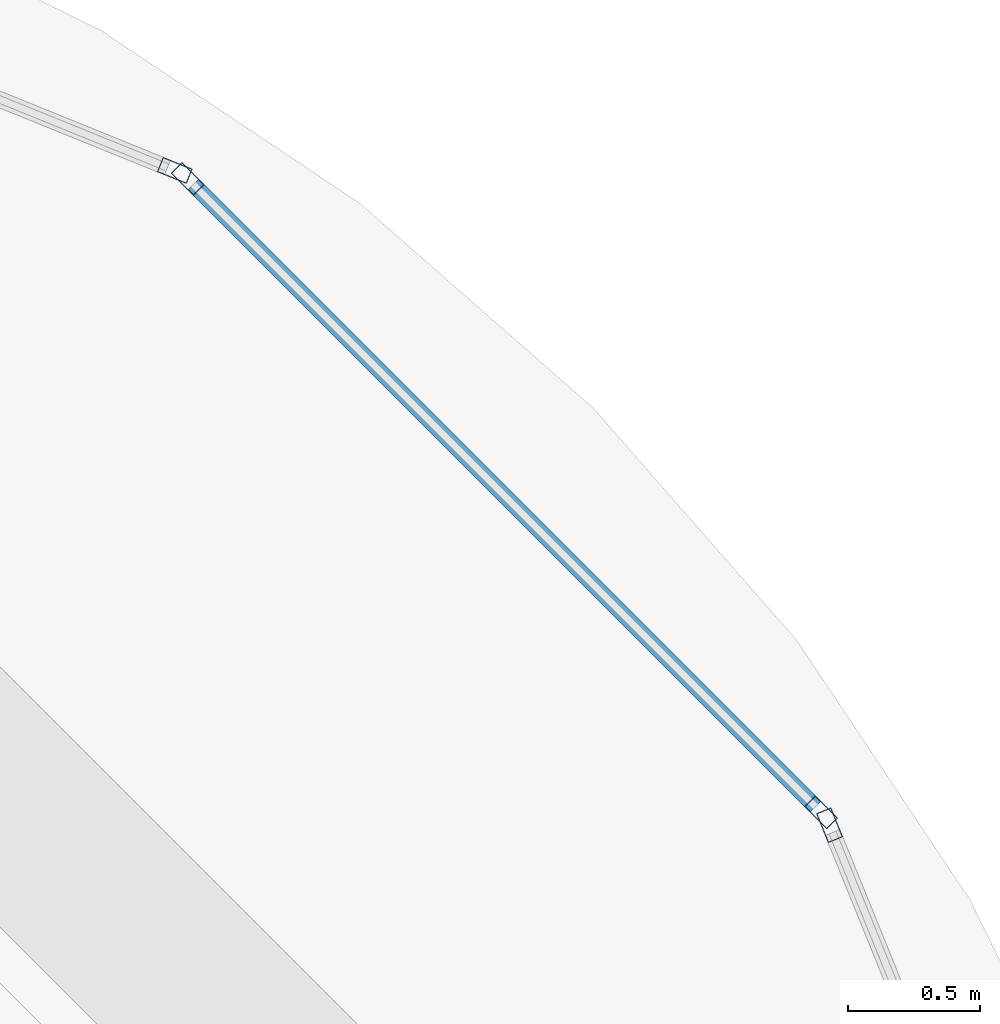
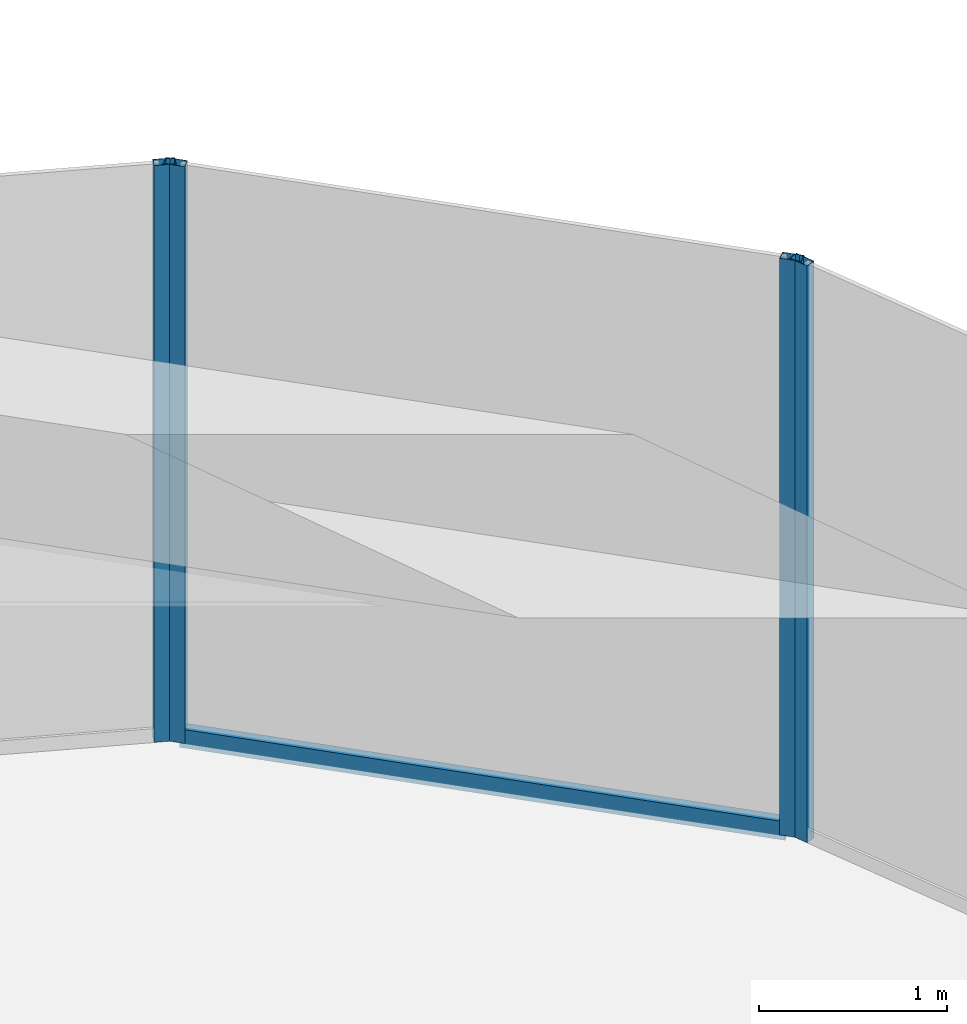
# One storey, part 38 of 43: 5 members, 3 elements without a shape of their own.
"""IFC4 building model written with IfcOpenShell, lengths in metres."""

from ifc_helpers import new_model, si_unit, direction, frame, origin, origin_2d, place, context, subcontext, project, spatial, hollow_rectangle, extrude, material, material_profile, profile_set, type_object, element, aggregate, save


model = new_model("IFC4")

# Units and contexts
model_context = context("Model", 3, precision=1e-05, world=origin(), true_north=direction((0.0, 1.0)))
body_context = subcontext(model_context, "Body", "Model", "MODEL_VIEW")
ifc_project = project(units=[si_unit("LENGTHUNIT", "METRE"), si_unit("AREAUNIT", "SQUARE_METRE"), si_unit("VOLUMEUNIT", "CUBIC_METRE"), si_unit("PLANEANGLEUNIT", "RADIAN"), si_unit("MASSUNIT", "GRAM", prefix="KILO")], contexts=[model_context])

# Site, building, storey
site_placement = place(None, origin())
site = spatial("IfcSite", under=ifc_project, at=site_placement, CompositionType="ELEMENT")
building_placement = place(site_placement, origin())
building = spatial("IfcBuilding", under=site, at=building_placement, Name="Zorevar Civic Tower", CompositionType="ELEMENT")
storey_placement = place(building_placement, frame((0.0, 0.0, 243.39990234375)))
storey = spatial("IfcBuildingStorey", under=building, at=storey_placement, Name="L59", CompositionType="ELEMENT", Elevation=243.39990234375)

# Curtain wall, member
ifc_material_1 = material(Name="Dark grey solar-control glass in black aluminium frame", Category="aluminium")
curtain_wall_type = type_object("IfcCurtainWallType", Name="Curtain wall CW5 top zone", PredefinedType="NOTDEFINED", material=ifc_material_1)
curtain_wall_1_placement = place(storey_placement, origin())
curtain_wall_1 = element("IfcCurtainWall", 1, at=curtain_wall_1_placement, inside=storey, type_object=curtain_wall_type, Name="CW5 L59", PredefinedType="NOTDEFINED")
ifc_material_2 = material(Name="Aluminium, black anodised", Category="aluminium")
ifc_material_profile_1 = material_profile(ifc_material_2, hollow_rectangle(XDim=0.06005859375, YDim=0.1201171875, WallThickness=0.0029296875, at=origin_2d()), Name="AL 120x60x3")
ifc_profile_set_1 = profile_set([ifc_material_profile_1], Name="Aluminium, black anodised")
member_type_1 = type_object("IfcMemberType", Name="CW5 mullion AL 120x60x3", PredefinedType="MULLION", material=ifc_profile_set_1)
member_1_placement = place(storey_placement, frame((52.263427734375, 40.778076171875, 0.0), z_axis=(0.0, 0.0, 1.0), x_axis=(-0.926761540227, -0.375650166453, 0.0)))
member_1 = element("IfcMember", 2, at=member_1_placement, type_object=member_type_1, Name="CW5 mullion 2", PredefinedType="MULLION", context=body_context, shape_type="SweptSolid", body=[
    extrude(hollow_rectangle(XDim=0.06005859375, YDim=0.1201171875, WallThickness=0.0029296875, at=origin_2d()), origin(), (0.0, 0.0, 1.0), 3.75),
])
aggregate(curtain_wall_1, [member_1])

# Curtain wall, members
curtain_wall_2_placement = place(storey_placement, origin())
curtain_wall_2 = element("IfcCurtainWall", 3, at=curtain_wall_2_placement, inside=storey, type_object=curtain_wall_type, Name="CW5 L59", PredefinedType="NOTDEFINED")
member_2_placement = place(storey_placement, frame((52.23095703125, 40.8271484375, 0.0), z_axis=(0.0, 0.0, 1.0), x_axis=(-0.707106781187, -0.707106781187, 0.0)))
member_2 = element("IfcMember", 4, at=member_2_placement, type_object=member_type_1, Name="CW5 mullion 1", PredefinedType="MULLION", context=body_context, shape_type="SweptSolid", body=[
    extrude(hollow_rectangle(XDim=0.06005859375, YDim=0.1201171875, WallThickness=0.0029296875, at=origin_2d()), origin(), (0.0, 0.0, 1.0), 3.75),
])
member_3_placement = place(storey_placement, frame((49.8271484375, 43.23095703125, 0.0), z_axis=(0.0, 0.0, 1.0), x_axis=(-0.707106781187, -0.707106781187, 0.0)))
member_3 = element("IfcMember", 5, at=member_3_placement, type_object=member_type_1, Name="CW5 mullion 2", PredefinedType="MULLION", context=body_context, shape_type="SweptSolid", body=[
    extrude(hollow_rectangle(XDim=0.06005859375, YDim=0.1201171875, WallThickness=0.0029296875, at=origin_2d()), origin(), (0.0, 0.0, 1.0), 3.75),
])

# Curtain wall, member
curtain_wall_3_placement = place(storey_placement, origin())
curtain_wall_3 = element("IfcCurtainWall", 6, at=curtain_wall_3_placement, inside=storey, type_object=curtain_wall_type, Name="CW5 L59", PredefinedType="NOTDEFINED")
member_4_placement = place(storey_placement, frame((49.778076171875, 43.263427734375, 0.0), z_axis=(0.0, 0.0, 1.0), x_axis=(-0.375650166453, -0.926761540227, 0.0)))
member_4 = element("IfcMember", 7, at=member_4_placement, type_object=member_type_1, Name="CW5 mullion 1", PredefinedType="MULLION", context=body_context, shape_type="SweptSolid", body=[
    extrude(hollow_rectangle(XDim=0.06005859375, YDim=0.1201171875, WallThickness=0.0029296875, at=origin_2d()), origin(), (0.0, 0.0, 1.0), 3.75),
])
aggregate(curtain_wall_3, [member_4])

# Member
ifc_material_3 = material(Name="Aluminium, black anodised", Category="aluminium")
ifc_material_profile_2 = material_profile(ifc_material_3, hollow_rectangle(XDim=0.06005859375, YDim=0.1201171875, WallThickness=0.0029296875, at=origin_2d()), Name="AL 120x60x3")
ifc_profile_set_2 = profile_set([ifc_material_profile_2], Name="Aluminium, black anodised")
member_type_2 = type_object("IfcMemberType", Name="CW5 transom AL 120x60x3", PredefinedType="USERDEFINED", material=ifc_profile_set_2)
member_5_placement = place(storey_placement, frame((52.209716796875, 40.848388671875, 0.030029296875), z_axis=(-0.707106781187, 0.707106781187, 0.0), x_axis=(-0.707106781187, -0.707106781187, 0.0)))
member_5 = element("IfcMember", 8, at=member_5_placement, type_object=member_type_2, Name="CW5 sill transom", ObjectType="TRANSOM", PredefinedType="USERDEFINED", context=body_context, shape_type="SweptSolid", body=[
    extrude(hollow_rectangle(XDim=0.06005859375, YDim=0.1201171875, WallThickness=0.0029296875, at=origin_2d()), origin(), (0.0, 0.0, 1.0), 3.33935546875),
])

aggregate(curtain_wall_2, [member_2, member_3, member_5])

save(model, "model.ifc")
